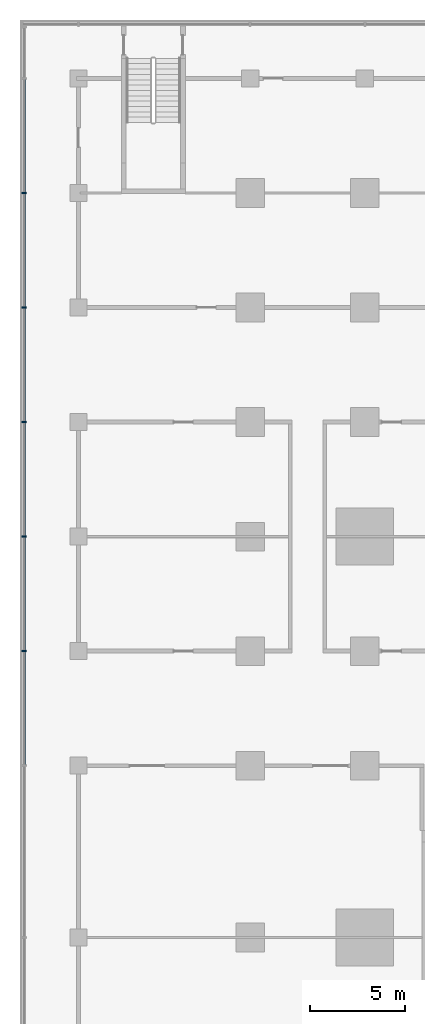
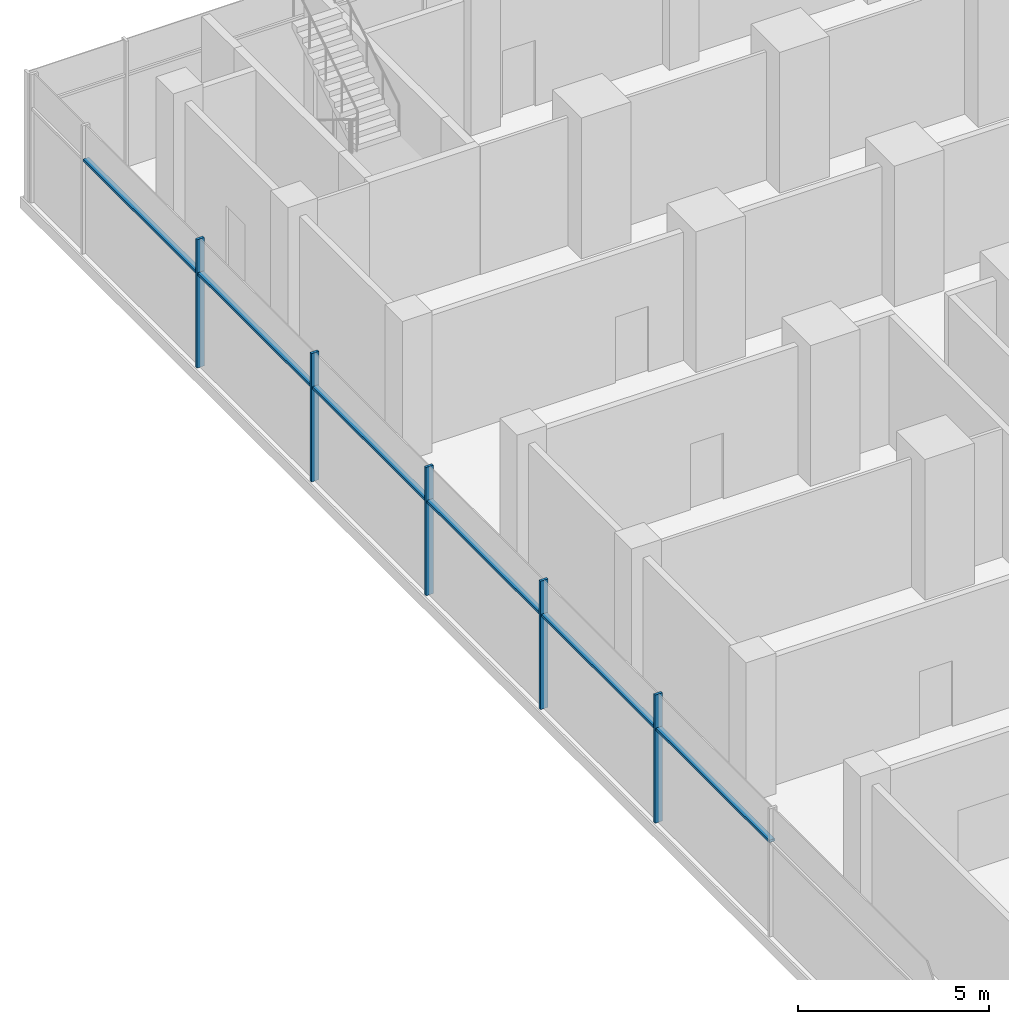
# One storey, part 4 of 22: 11 members, 1 element without a shape of its own.
"""IFC4 building model written with IfcOpenShell, lengths in metres."""

import ifcopenshell
import ifcopenshell.guid

model = None  # the IFC model being written
_history = None  # IfcOwnerHistory: only IFC2X3 demands one
_inside = {}  # id of a spatial element -> (the spatial element, [elements in it])
_under = {}  # id of a project, library or spatial element -> (it, [spatial elements below it])
_declared = {}  # id of a project -> (the project, [libraries it declares])
_typed = {}  # id of a type object -> (the type object, [elements of that type])
_made_of = {}  # id of a material, layer set ... -> (it, [elements and type objects made of it])


def new_model(schema):
    """Start an empty IFC model of exactly this schema.

    Asked for "IFC4X3", IfcOpenShell would pick the latest addendum, in which some entities
    have other attributes; the version numbers below select the first issue.
    IFC2X3 requires an IfcOwnerHistory on every rooted entity: one is made here for all.
    """
    global model, _history
    if schema == "IFC4X3":
        model = ifcopenshell.file(schema_version=(4, 3, 0, 0))
    else:
        model = ifcopenshell.file(schema=schema)
    _inside.clear()
    _under.clear()
    _declared.clear()
    _typed.clear()
    _made_of.clear()
    _history = None
    if model.schema == "IFC2X3":
        org = make("IfcOrganization", Name="unknown")
        user = make(
            "IfcPersonAndOrganization",
            ThePerson=make("IfcPerson", FamilyName="unknown"),
            TheOrganization=org,
        )
        app = make(
            "IfcApplication",
            ApplicationDeveloper=org,
            Version="unknown",
            ApplicationFullName="unknown",
            ApplicationIdentifier="unknown",
        )
        _history = make(
            "IfcOwnerHistory",
            OwningUser=user,
            OwningApplication=app,
            ChangeAction="ADDED",
            CreationDate=0,
        )
    return model


def make(cls, **values):
    """One entity of the class cls with the attributes given. An attribute that is None is left unset."""
    return model.create_entity(
        cls, **{name: value for name, value in values.items() if value is not None}
    )


def rooted(cls, **values):
    """An entity with a GlobalId (a new one), such as an element, a storey or a relation."""
    return make(cls, GlobalId=ifcopenshell.guid.new(), OwnerHistory=_history, **values)


def si_unit(unit_type, name, prefix=None):
    """IfcSIUnit, for example si_unit("LENGTHUNIT", "METRE", prefix="MILLI")."""
    return make("IfcSIUnit", UnitType=unit_type, Prefix=prefix, Name=name)


def assignment(units):
    """IfcUnitAssignment: the units of a project."""
    return None if units is None else make("IfcUnitAssignment", Units=units)


def point(xyz):
    """IfcCartesianPoint."""
    return None if xyz is None else make("IfcCartesianPoint", Coordinates=xyz)


def direction(xyz):
    """IfcDirection."""
    return None if xyz is None else make("IfcDirection", DirectionRatios=xyz)


def frame(location, z_axis=None, x_axis=None):
    """IfcAxis2Placement3D, a coordinate frame: its origin and axes. An axis left out is left unset."""
    return make(
        "IfcAxis2Placement3D",
        Location=point(location),
        Axis=direction(z_axis),
        RefDirection=direction(x_axis),
    )


def frame_2d(location, x_axis=None):
    """IfcAxis2Placement2D, a coordinate frame in the plane: its origin and x axis."""
    return make(
        "IfcAxis2Placement2D", Location=point(location), RefDirection=direction(x_axis)
    )


def origin():
    """The frame at (0, 0, 0) with its axes left unset."""
    return frame((0.0, 0.0, 0.0))


def origin_2d():
    """The frame at (0, 0) in the plane with its x axis left unset."""
    return frame_2d((0.0, 0.0))


def place(relative_to, where):
    """IfcLocalPlacement: puts the frame where relative to a parent placement (None: the world)."""
    return make(
        "IfcLocalPlacement", PlacementRelTo=relative_to, RelativePlacement=where
    )


def context(
    kind, dimensions, precision=None, world=None, true_north=None, identifier=None
):
    """IfcGeometricRepresentationContext, for example the 3D "Model" context."""
    return make(
        "IfcGeometricRepresentationContext",
        ContextIdentifier=identifier,
        ContextType=kind,
        CoordinateSpaceDimension=dimensions,
        Precision=precision,
        WorldCoordinateSystem=world,
        TrueNorth=true_north,
    )


def subcontext(parent, identifier, kind, view, scale=None):
    """IfcGeometricRepresentationSubContext, for example "Body" below "Model"."""
    return make(
        "IfcGeometricRepresentationSubContext",
        ContextIdentifier=identifier,
        ContextType=kind,
        ParentContext=parent,
        TargetScale=scale,
        TargetView=view,
    )


def project(units=None, contexts=None):
    """IfcProject with its units and contexts."""
    return rooted(
        "IfcProject",
        Name="project",
        RepresentationContexts=contexts,
        UnitsInContext=assignment(units),
    )


def spatial(cls, under=None, at=None, **own):
    """A site, building, storey or space (cls), placed at a placement, below another one or the project."""
    s = rooted(cls, ObjectPlacement=at, **own)
    if under is not None:
        _under.setdefault(under.id(), (under, []))[1].append(s)
    return s


def profile(cls, at=None, kind="AREA", **sizes):
    """A parametric profile (cls). Its sizes go by their IFC names, for example OverallWidth=200.0."""
    return make(cls, ProfileType=kind, Position=at, **sizes)


def rectangle(**sizes):
    """IfcRectangleProfileDef."""
    return profile("IfcRectangleProfileDef", **sizes)


def extrude(swept, where, along, depth):
    """IfcExtrudedAreaSolid: the profile swept, set in the frame where, extruded along a direction by depth."""
    return make(
        "IfcExtrudedAreaSolid",
        SweptArea=swept,
        Position=where,
        ExtrudedDirection=direction(along),
        Depth=depth,
    )


def shape(context_of_items, identifier, shape_type, items):
    """IfcShapeRepresentation: the items that make up one representation, for example the "Body"."""
    return make(
        "IfcShapeRepresentation",
        ContextOfItems=context_of_items,
        RepresentationIdentifier=identifier,
        RepresentationType=shape_type,
        Items=items,
    )


def material(Name=None, Category=None):
    """IfcMaterial."""
    return make("IfcMaterial", Name=Name, Category=Category)


def material_profile(
    of_material, cross_section, Name=None, Category=None, Priority=None
):
    """IfcMaterialProfile: a cross section and its material."""
    return make(
        "IfcMaterialProfile",
        Name=Name,
        Material=of_material,
        Profile=cross_section,
        Priority=Priority,
        Category=Category,
    )


def profile_set(profiles, Name=None, composite=None):
    """IfcMaterialProfileSet."""
    return make(
        "IfcMaterialProfileSet",
        Name=Name,
        MaterialProfiles=profiles,
        CompositeProfile=composite,
    )


def made_of(thing, what):
    """Note that an element or type object is made of a material, layer set ...; save() writes the relation."""
    if what is not None:
        _made_of.setdefault(what.id(), (what, []))[1].append(thing)
    return thing


def type_object(cls, material=None, **own):
    """A type object (cls), such as IfcWallType, which elements share."""
    return made_of(rooted(cls, **own), material)


def element(
    cls,
    number,
    at=None,
    inside=None,
    cuts=None,
    type_object=None,
    material=None,
    context=None,
    identifier="Body",
    shape_type=None,
    held_by="IfcProductDefinitionShape",
    body=None,
    shapes=None,
    **own,
):
    """One element of the class cls, such as IfcWall. Its Tag is "e" and its number.

    at: its placement. inside: the storey or other place that contains it. cuts: it is an
    opening in that element (IfcRelVoidsElement). A single representation is given by context,
    identifier, shape_type and body (its items); several are given by shapes. held_by: the class
    of the entity that holds the representations. save() writes the other relations.
    """
    e = rooted(cls, Tag="e%d" % number, ObjectPlacement=at, **own)
    if body is not None:
        shapes = [shape(context, identifier, shape_type, body)]
    if shapes is not None:
        e.Representation = make(held_by, Representations=shapes)
    if inside is not None:
        _inside.setdefault(inside.id(), (inside, []))[1].append(e)
    if cuts is not None:
        rooted(
            "IfcRelVoidsElement", RelatingBuildingElement=cuts, RelatedOpeningElement=e
        )
    if type_object is not None:
        _typed.setdefault(type_object.id(), (type_object, []))[1].append(e)
    return made_of(e, material)


def aggregate(whole, parts):
    """IfcRelAggregates: a whole, such as a stair, and the parts it consists of."""
    return rooted("IfcRelAggregates", RelatingObject=whole, RelatedObjects=parts)


def save(model, path):
    """Write the relations noted so far, then the file.

    IfcRelAggregates (storeys below a building ...), IfcRelContainedInSpatialStructure (elements
    in a storey), IfcRelDefinesByType, IfcRelAssociatesMaterial and IfcRelDeclares: one each for
    every whole, place, type object, material and project.
    """
    for whole, parts in _under.values():
        aggregate(whole, parts)
    for where, things in _inside.values():
        rooted(
            "IfcRelContainedInSpatialStructure",
            RelatedElements=things,
            RelatingStructure=where,
        )
    for kind, things in _typed.values():
        rooted("IfcRelDefinesByType", RelatedObjects=things, RelatingType=kind)
    for what, things in _made_of.values():
        rooted("IfcRelAssociatesMaterial", RelatedObjects=things, RelatingMaterial=what)
    for by, libraries in _declared.values():
        rooted("IfcRelDeclares", RelatingContext=by, RelatedDefinitions=libraries)
    model.write(path)


model = new_model("IFC4")

# Units and contexts
model_context = context("Model", 3, precision=1e-05, world=origin(), true_north=direction((0.0, 1.0)))
body_context = subcontext(model_context, "Body", "Model", "MODEL_VIEW")
ifc_project = project(units=[si_unit("LENGTHUNIT", "METRE"), si_unit("AREAUNIT", "SQUARE_METRE"), si_unit("VOLUMEUNIT", "CUBIC_METRE"), si_unit("PLANEANGLEUNIT", "RADIAN"), si_unit("MASSUNIT", "GRAM", prefix="KILO")], contexts=[model_context])

# Site, building, storey
site_placement = place(None, origin())
site = spatial("IfcSite", under=ifc_project, at=site_placement, CompositionType="ELEMENT")
building_placement = place(site_placement, origin())
building = spatial("IfcBuilding", under=site, at=building_placement, Name="Finial Court Residences", CompositionType="ELEMENT")
storey_placement = place(building_placement, frame((0.0, 0.0, 28.0)))
storey = spatial("IfcBuildingStorey", under=building, at=storey_placement, Name="L05", CompositionType="ELEMENT", Elevation=28.0)

# Curtain wall, members
ifc_material = material(Name="Bronze anodised aluminium", Category="aluminium")
curtain_wall_type = type_object("IfcCurtainWallType", Name="Podium curtain wall", PredefinedType="NOTDEFINED", material=ifc_material)
curtain_wall_placement = place(storey_placement, origin())
curtain_wall = element("IfcCurtainWall", 1, at=curtain_wall_placement, inside=storey, type_object=curtain_wall_type, Name="E-L05-CW-W4", PredefinedType="NOTDEFINED")
ifc_material_profile_1 = material_profile(ifc_material, rectangle(XDim=0.22509765625, YDim=0.080078125, at=origin_2d()), Name="CW5 mullion 80 x 225")
ifc_profile_set_1 = profile_set([ifc_material_profile_1], Name="Bronze anodised aluminium")
member_type_1 = type_object("IfcMemberType", Name="CW5 mullion 80 x 225", PredefinedType="MULLION", material=ifc_profile_set_1)
member_1_placement = place(storey_placement, frame((-34.35009765625, 1.5, 0.0), z_axis=(0.0, 0.0, 1.0), x_axis=(-1.0, 0.0, 0.0)))
member_1 = element("IfcMember", 2, at=member_1_placement, type_object=member_type_1, Name="CW5 mullion 6", PredefinedType="MULLION", context=body_context, shape_type="SweptSolid", body=[
    extrude(rectangle(XDim=0.22509765625, YDim=0.080078125, at=origin_2d()), origin(), (0.0, 0.0, 1.0), 4.10009765625),
])
member_2_placement = place(storey_placement, frame((-34.35009765625, 7.5, 0.0), z_axis=(0.0, 0.0, 1.0), x_axis=(-1.0, 0.0, 0.0)))
member_2 = element("IfcMember", 3, at=member_2_placement, type_object=member_type_1, Name="CW5 mullion 7", PredefinedType="MULLION", context=body_context, shape_type="SweptSolid", body=[
    extrude(rectangle(XDim=0.22509765625, YDim=0.080078125, at=origin_2d()), origin(), (0.0, 0.0, 1.0), 4.10009765625),
])
member_3_placement = place(storey_placement, frame((-34.35009765625, 13.5, 0.0), z_axis=(0.0, 0.0, 1.0), x_axis=(-1.0, 0.0, 0.0)))
member_3 = element("IfcMember", 4, at=member_3_placement, type_object=member_type_1, Name="CW5 mullion 8", PredefinedType="MULLION", context=body_context, shape_type="SweptSolid", body=[
    extrude(rectangle(XDim=0.22509765625, YDim=0.080078125, at=origin_2d()), origin(), (0.0, 0.0, 1.0), 4.10009765625),
])
member_4_placement = place(storey_placement, frame((-34.35009765625, 19.5, 0.0), z_axis=(0.0, 0.0, 1.0), x_axis=(-1.0, 0.0, 0.0)))
member_4 = element("IfcMember", 5, at=member_4_placement, type_object=member_type_1, Name="CW5 mullion 9", PredefinedType="MULLION", context=body_context, shape_type="SweptSolid", body=[
    extrude(rectangle(XDim=0.22509765625, YDim=0.080078125, at=origin_2d()), origin(), (0.0, 0.0, 1.0), 4.10009765625),
])
member_5_placement = place(storey_placement, frame((-34.35009765625, 25.5, 0.0), z_axis=(0.0, 0.0, 1.0), x_axis=(-1.0, 0.0, 0.0)))
member_5 = element("IfcMember", 6, at=member_5_placement, type_object=member_type_1, Name="CW5 mullion 10", PredefinedType="MULLION", context=body_context, shape_type="SweptSolid", body=[
    extrude(rectangle(XDim=0.22509765625, YDim=0.080078125, at=origin_2d()), origin(), (0.0, 0.0, 1.0), 4.10009765625),
])
ifc_material_profile_2 = material_profile(ifc_material, rectangle(XDim=0.175048828125, YDim=0.080078125, at=origin_2d()), Name="CW5 transom 80 x 175")
ifc_profile_set_2 = profile_set([ifc_material_profile_2], Name="Bronze anodised aluminium")
member_type_2 = type_object("IfcMemberType", Name="CW5 transom 80 x 175", PredefinedType="USERDEFINED", material=ifc_profile_set_2)
member_6_placement = place(storey_placement, frame((-34.35009765625, -4.4599609375, 3.0), z_axis=(0.0, 1.0, 0.0), x_axis=(-1.0, 0.0, 0.0)))
member_6 = element("IfcMember", 7, at=member_6_placement, type_object=member_type_2, Name="CW5 transom 5.1", ObjectType="TRANSOM", PredefinedType="USERDEFINED", context=body_context, shape_type="SweptSolid", body=[
    extrude(rectangle(XDim=0.175048828125, YDim=0.080078125, at=origin_2d()), origin(), (0.0, 0.0, 1.0), 5.919921875),
])
member_7_placement = place(storey_placement, frame((-34.35009765625, 1.5400390625, 3.0), z_axis=(0.0, 1.0, 0.0), x_axis=(-1.0, 0.0, 0.0)))
member_7 = element("IfcMember", 8, at=member_7_placement, type_object=member_type_2, Name="CW5 transom 6.1", ObjectType="TRANSOM", PredefinedType="USERDEFINED", context=body_context, shape_type="SweptSolid", body=[
    extrude(rectangle(XDim=0.175048828125, YDim=0.080078125, at=origin_2d()), origin(), (0.0, 0.0, 1.0), 5.919921875),
])
member_8_placement = place(storey_placement, frame((-34.35009765625, 7.5400390625, 3.0), z_axis=(0.0, 1.0, 0.0), x_axis=(-1.0, 0.0, 0.0)))
member_8 = element("IfcMember", 9, at=member_8_placement, type_object=member_type_2, Name="CW5 transom 7.1", ObjectType="TRANSOM", PredefinedType="USERDEFINED", context=body_context, shape_type="SweptSolid", body=[
    extrude(rectangle(XDim=0.175048828125, YDim=0.080078125, at=origin_2d()), origin(), (0.0, 0.0, 1.0), 5.919921875),
])
member_9_placement = place(storey_placement, frame((-34.35009765625, 13.5400390625, 3.0), z_axis=(0.0, 1.0, 0.0), x_axis=(-1.0, 0.0, 0.0)))
member_9 = element("IfcMember", 10, at=member_9_placement, type_object=member_type_2, Name="CW5 transom 8.1", ObjectType="TRANSOM", PredefinedType="USERDEFINED", context=body_context, shape_type="SweptSolid", body=[
    extrude(rectangle(XDim=0.175048828125, YDim=0.080078125, at=origin_2d()), origin(), (0.0, 0.0, 1.0), 5.919921875),
])
member_10_placement = place(storey_placement, frame((-34.35009765625, 19.5400390625, 3.0), z_axis=(0.0, 1.0, 0.0), x_axis=(-1.0, 0.0, 0.0)))
member_10 = element("IfcMember", 11, at=member_10_placement, type_object=member_type_2, Name="CW5 transom 9.1", ObjectType="TRANSOM", PredefinedType="USERDEFINED", context=body_context, shape_type="SweptSolid", body=[
    extrude(rectangle(XDim=0.175048828125, YDim=0.080078125, at=origin_2d()), origin(), (0.0, 0.0, 1.0), 5.919921875),
])
member_11_placement = place(storey_placement, frame((-34.35009765625, 25.5400390625, 3.0), z_axis=(0.0, 1.0, 0.0), x_axis=(-1.0, 0.0, 0.0)))
member_11 = element("IfcMember", 12, at=member_11_placement, type_object=member_type_2, Name="CW5 transom 10.1", ObjectType="TRANSOM", PredefinedType="USERDEFINED", context=body_context, shape_type="SweptSolid", body=[
    extrude(rectangle(XDim=0.175048828125, YDim=0.080078125, at=origin_2d()), origin(), (0.0, 0.0, 1.0), 5.919921875),
])
aggregate(curtain_wall, [member_1, member_2, member_3, member_4, member_5, member_6, member_7, member_8, member_9, member_10, member_11])

save(model, "model.ifc")
